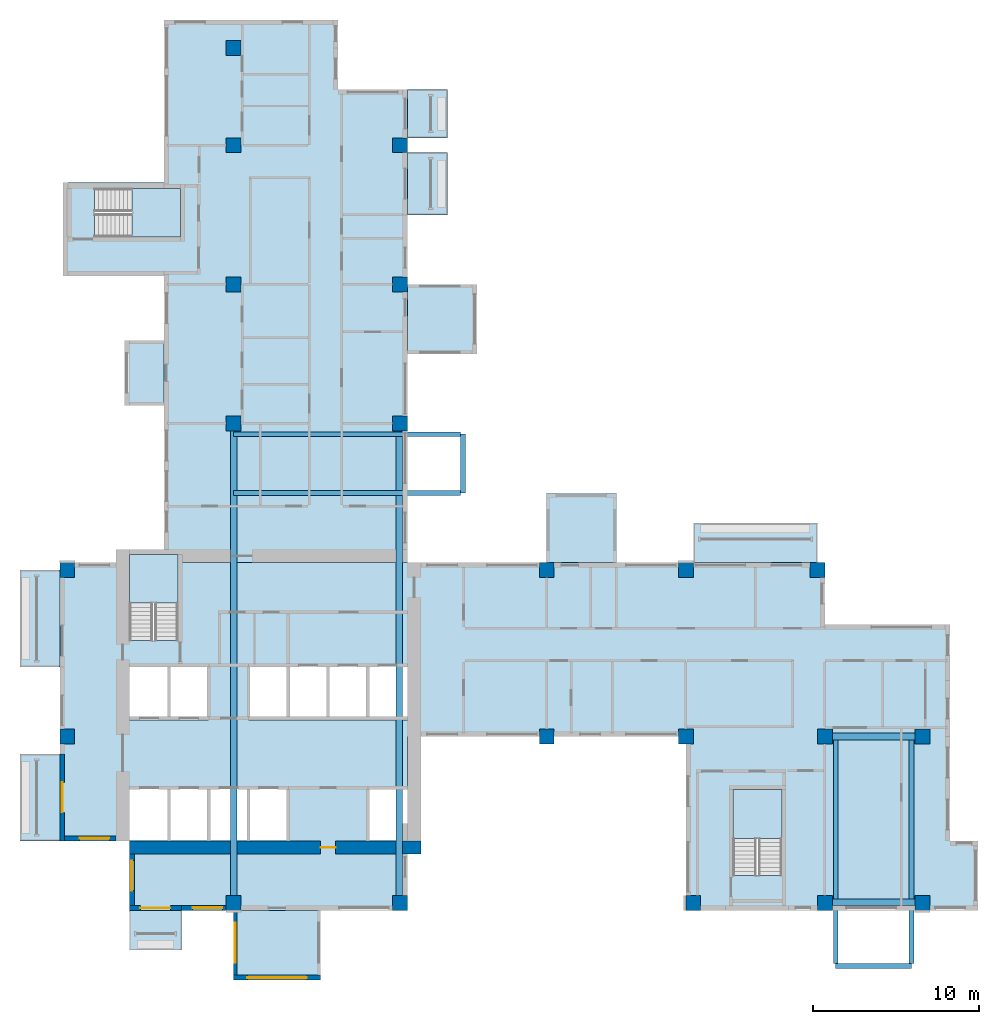
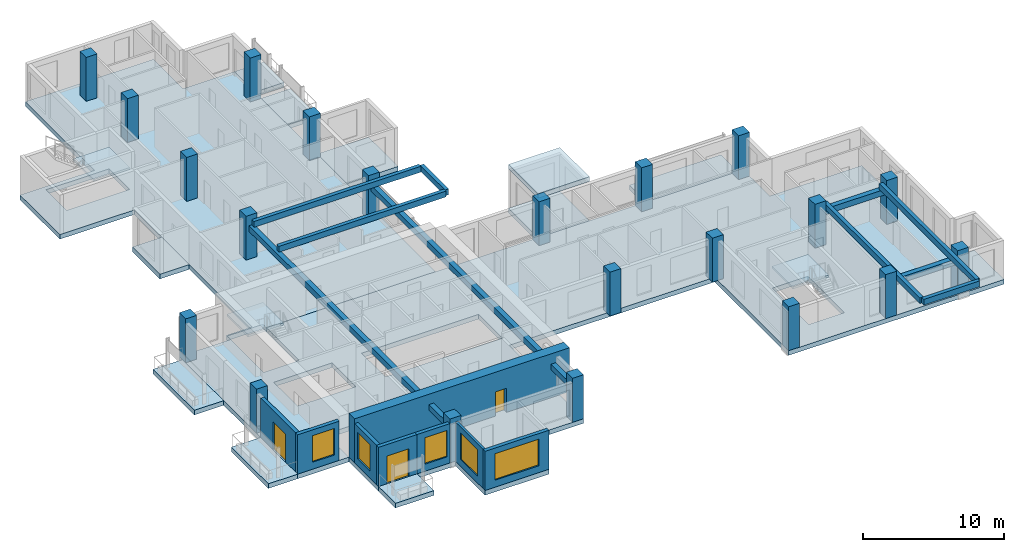
# One storey, part 1 of 11: 21 columns, 16 slabs, 10 beams, 8 walls, 5 windows, 3 doors, 8 openings, 3 elements without a shape of their own.
"""IFC4 building model written with IfcOpenShell, lengths in metres."""

from ifc_helpers import new_model, si_unit, direction, frame, frame_2d, origin, origin_2d, place, context, subcontext, project, spatial, polyline, rectangle, outline, extrude, source, transform, mapped, material, layer, layer_set, material_profile, profile_set, type_object, element, fill, aggregate, save


model = new_model("IFC4")

# Units and contexts
model_context = context("Model", 3, precision=1e-05, world=origin(), true_north=direction((0.0, 1.0)))
body_context = subcontext(model_context, "Body", "Model", "MODEL_VIEW")
ifc_project = project(units=[si_unit("LENGTHUNIT", "METRE"), si_unit("AREAUNIT", "SQUARE_METRE"), si_unit("VOLUMEUNIT", "CUBIC_METRE"), si_unit("PLANEANGLEUNIT", "RADIAN"), si_unit("MASSUNIT", "GRAM", prefix="KILO")], contexts=[model_context])

# Site, building, storey
site_placement = place(None, origin())
site = spatial("IfcSite", under=ifc_project, at=site_placement, CompositionType="ELEMENT")
building_placement = place(site_placement, origin())
building = spatial("IfcBuilding", under=site, at=building_placement, Name="Aurelian Terraces", CompositionType="ELEMENT")
storey_placement = place(building_placement, frame((0.0, 0.0, 208.2)))
storey = spatial("IfcBuildingStorey", under=building, at=storey_placement, Name="L46", CompositionType="ELEMENT", Elevation=208.2)

# Columns
ifc_material_1 = material(Name="Concrete fc' 70 MPa", Category="concrete")
ifc_material_profile_1 = material_profile(ifc_material_1, rectangle(XDim=0.9, YDim=0.9, at=origin_2d()))
ifc_profile_set_1 = profile_set([ifc_material_profile_1], Name="Concrete fc' 70 MPa")
column_type = type_object("IfcColumnType", Name="RC COLUMN 900X900 FC70", PredefinedType="COLUMN", material=ifc_profile_set_1)
shared_shape_1 = source(origin(), body_context, "Body", "SweptSolid", [
    extrude(rectangle(XDim=0.9, YDim=0.9, at=origin_2d()), origin(), (0.0, 0.0, 1.0), 3.8),
])
for number, where, z_axis, x_axis, name in (
    (1, (10.5, 0.45, 0.0), (0.0, 0.0, 1.0), (1.0, 0.0, 0.0), "Column 2/A L46"),
    (2, (20.55, 0.45, 0.0), (0.0, 0.0, 1.0), (1.0, 0.0, 0.0), "Column 3/A L46"),
    (3, (38.25, 0.45, 0.0), (0.0, 0.0, 1.0), (1.0, 0.0, 0.0), "Column 5/A L46"),
    (4, (46.2, 0.45, 0.0), (0.0, 0.0, 1.0), (1.0, 0.0, 0.0), "Column 6/A L46"),
    (5, (52.08, 0.45, 0.0), (0.0, 0.0, 1.0), (1.0, 0.0, 0.0), "Column 7/A L46"),
    (6, (0.45, 10.5, 0.0), (0.0, 0.0, 1.0), (1.0, 0.0, 0.0), "Column 1/B L46"),
    (7, (29.4, 10.5, 0.0), (0.0, 0.0, 1.0), (1.0, 0.0, 0.0), "Column 4/B L46"),
    (8, (37.8, 10.5, 0.0), (0.0, 0.0, 1.0), (1.0, 0.0, 0.0), "Column 5/B L46"),
    (9, (46.2, 10.5, 0.0), (0.0, 0.0, 1.0), (1.0, 0.0, 0.0), "Column 6/B L46"),
    (10, (52.08, 10.5, 0.0), (0.0, 0.0, 1.0), (1.0, 0.0, 0.0), "Column 7/B L46"),
    (11, (0.45, 20.55, 0.0), (0.0, 0.0, 1.0), (1.0, 0.0, 0.0), "Column 1/C L46"),
    (12, (29.4, 20.55, 0.0), (0.0, 0.0, 1.0), (1.0, 0.0, 0.0), "Column 4/C L46"),
    (13, (37.8, 20.55, 0.0), (0.0, 0.0, 1.0), (1.0, 0.0, 0.0), "Column 5/C L46"),
    (14, (45.75, 20.55, 0.0), (0.0, 0.0, 1.0), (1.0, 0.0, 0.0), "Column 6/C L46"),
    (15, (10.5, 29.4, 0.0), (0.0, 0.0, 1.0), (1.0, 0.0, 0.0), "Column 2/D L46"),
    (16, (20.55, 29.4, 0.0), (0.0, 0.0, 1.0), (1.0, 0.0, 0.0), "Column 3/D L46"),
    (17, (10.5, 37.8, 0.0), (0.0, 0.0, 1.0), (1.0, 0.0, 0.0), "Column 2/E L46"),
    (18, (20.55, 37.8, 0.0), (0.0, 0.0, 1.0), (1.0, 0.0, 0.0), "Column 3/E L46"),
    (19, (10.5, 46.2, 0.0), (0.0, 0.0, 1.0), (1.0, 0.0, 0.0), "Column 2/F L46"),
    (20, (20.55, 46.2, 0.0), (0.0, 0.0, 1.0), (1.0, 0.0, 0.0), "Column 3/F L46"),
    (21, (10.5, 52.08, 0.0), (0.0, 0.0, 1.0), (1.0, 0.0, 0.0), "Column 2/G L46"),
):
    element("IfcColumn", number, at=place(storey_placement, frame(where, z_axis=z_axis, x_axis=x_axis)), inside=storey, type_object=column_type, Name=name, PredefinedType="COLUMN", context=body_context, shape_type="MappedRepresentation", body=[
        mapped(shared_shape_1, transform((0.0, 0.0, 0.0), scale=1.0)),
    ])

# Beams
ifc_material_2 = material(Name="Concrete fc' 40 MPa", Category="concrete")
ifc_material_profile_2 = material_profile(ifc_material_2, rectangle(XDim=0.3, YDim=0.5, at=origin_2d()))
ifc_profile_set_2 = profile_set([ifc_material_profile_2], Name="Concrete fc' 40 MPa")
beam_type_1 = type_object("IfcBeamType", Name="CONCRETE CANTILEVER BEAM 300X500", PredefinedType="BEAM", material=ifc_profile_set_2)
shared_shape_2 = source(origin(), body_context, "Body", "SweptSolid", [
    extrude(rectangle(XDim=0.3, YDim=0.5, at=origin_2d()), origin(), (0.0, 0.0, 1.0), 13.7),
])
for number, where, z_axis, x_axis, name in (
    (22, (46.85, -3.2, 3.15), (0.0, 1.0, 0.0), (-1.0, 0.0, 0.0), "Box cantilever beam J67.1"),
    (23, (51.43, -3.2, 3.15), (0.0, 1.0, 0.0), (-1.0, 0.0, 0.0), "Box cantilever beam J67.2"),
    (24, (24.2, 25.2, 3.15), (-1.0, 0.0, 0.0), (0.0, -1.0, 0.0), "Box cantilever beam J68.1"),
    (25, (24.2, 28.75, 3.15), (-1.0, 0.0, 0.0), (0.0, -1.0, 0.0), "Box cantilever beam J68.2"),
):
    element("IfcBeam", number, at=place(storey_placement, frame(where, z_axis=z_axis, x_axis=x_axis)), inside=storey, type_object=beam_type_1, Name=name, PredefinedType="BEAM", context=body_context, shape_type="MappedRepresentation", body=[
        mapped(shared_shape_2, transform((0.0, 0.0, 0.0), scale=1.0)),
    ])
ifc_material_profile_3 = material_profile(ifc_material_2, rectangle(XDim=0.4, YDim=0.5, at=origin_2d()))
ifc_profile_set_3 = profile_set([ifc_material_profile_3], Name="Concrete fc' 40 MPa")
beam_type_2 = type_object("IfcBeamType", Name="CONCRETE EDGE GIRDER 400X500", PredefinedType="BEAM", material=ifc_profile_set_3)
shared_shape_3 = source(origin(), body_context, "Body", "SweptSolid", [
    extrude(rectangle(XDim=0.4, YDim=0.5, at=origin_2d()), origin(), (0.0, 0.0, 1.0), 4.98),
])
for number, where, z_axis, x_axis, name in (
    (26, (46.65, 0.5, 2.65), (1.0, 0.0, 0.0), (0.0, 1.0, 0.0), "Box girder L46 O134"),
    (27, (46.65, 10.5, 2.65), (1.0, 0.0, 0.0), (0.0, 1.0, 0.0), "Box girder L46 I135"),
):
    element("IfcBeam", number, at=place(storey_placement, frame(where, z_axis=z_axis, x_axis=x_axis)), inside=storey, type_object=beam_type_2, Name=name, PredefinedType="BEAM", context=body_context, shape_type="MappedRepresentation", body=[
        mapped(shared_shape_3, transform((0.0, 0.0, 0.0), scale=1.0)),
    ])
shared_shape_4 = source(origin(), body_context, "Body", "SweptSolid", [
    extrude(rectangle(XDim=0.3, YDim=0.5, at=origin_2d()), origin(), (0.0, 0.0, 1.0), 3.55),
])
beam_1_placement = place(storey_placement, frame((24.35, 25.2, 3.15), z_axis=(0.0, 1.0, 0.0), x_axis=(-1.0, 0.0, 0.0)))
element("IfcBeam", 28, at=beam_1_placement, inside=storey, type_object=beam_type_1, Name="Box tip beam J68", PredefinedType="BEAM", context=body_context, shape_type="MappedRepresentation", body=[
    mapped(shared_shape_4, transform((0.0, 0.0, 0.0), scale=1.0)),
])
shared_shape_5 = source(origin(), body_context, "Body", "SweptSolid", [
    extrude(rectangle(XDim=0.4, YDim=0.5, at=origin_2d()), origin(), (0.0, 0.0, 1.0), 28.05),
])
for number, where, z_axis, x_axis, name in (
    (29, (20.5, 0.9, 2.65), (0.0, 1.0, 0.0), (-1.0, 0.0, 0.0), "Box girder L46 O136"),
    (30, (10.5, 0.9, 2.65), (0.0, 1.0, 0.0), (-1.0, 0.0, 0.0), "Box girder L46 I137"),
):
    element("IfcBeam", number, at=place(storey_placement, frame(where, z_axis=z_axis, x_axis=x_axis)), inside=storey, type_object=beam_type_2, Name=name, PredefinedType="BEAM", context=body_context, shape_type="MappedRepresentation", body=[
        mapped(shared_shape_5, transform((0.0, 0.0, 0.0), scale=1.0)),
    ])
shared_shape_6 = source(origin(), body_context, "Body", "SweptSolid", [
    extrude(rectangle(XDim=0.3, YDim=0.5, at=origin_2d()), origin(), (0.0, 0.0, 1.0), 4.58),
])
beam_2_placement = place(storey_placement, frame((46.85, -3.35, 3.15), z_axis=(1.0, 0.0, 0.0), x_axis=(0.0, 1.0, 0.0)))
element("IfcBeam", 31, at=beam_2_placement, inside=storey, type_object=beam_type_1, Name="Box tip beam J67", PredefinedType="BEAM", context=body_context, shape_type="MappedRepresentation", body=[
    mapped(shared_shape_6, transform((0.0, 0.0, 0.0), scale=1.0)),
])

# Slabs
ifc_layer_1 = layer(ifc_material_2, 0.4)
ifc_layer_set_1 = layer_set([ifc_layer_1], Name="Balcony slab 400")
slab_type_1 = type_object("IfcSlabType", Name="Balcony slab 400", PredefinedType="NOTDEFINED", material=ifc_layer_set_1)
slab_1_placement = place(storey_placement, frame((0.0, 0.0, -0.4)))
element("IfcSlab", 32, at=slab_1_placement, inside=storey, type_object=slab_type_1, Name="Balcony slab L46 F11.19", PredefinedType="NOTDEFINED", context=body_context, shape_type="SweptSolid", body=[
    extrude(outline(polyline([(45.75, 21.0), (38.25, 21.0), (38.25, 23.4), (45.75, 23.4), (45.75, 21.0)])), origin(), (0.0, 0.0, 1.0), 0.4),
])
slab_2_placement = place(storey_placement, frame((0.0, 0.0, -0.4)))
element("IfcSlab", 33, at=slab_2_placement, inside=storey, type_object=slab_type_1, Name="Balcony slab L46 F24.39", PredefinedType="NOTDEFINED", context=body_context, shape_type="SweptSolid", body=[
    extrude(outline(polyline([(0.0, 20.55), (0.0, 14.7), (-2.4, 14.7), (-2.4, 20.55), (0.0, 20.55)])), origin(), (0.0, 0.0, 1.0), 0.4),
])
ifc_layer_2 = layer(ifc_material_2, 0.4)
ifc_layer_set_2 = layer_set([ifc_layer_2], Name="PT FLAT PLATE 400")
slab_type_2 = type_object("IfcSlabType", Name="PT FLAT PLATE 400", PredefinedType="FLOOR", material=ifc_layer_set_2)
shared_shape_7 = source(origin(), body_context, "Body", "SweptSolid", [
    extrude(outline(polyline([(6.3, 43.95), (6.3, 49.56), (6.3, 53.76), (10.5, 53.76), (16.8, 53.76), (16.8, 49.56), (21.0, 49.56), (21.0, 21.0), (7.14, 21.0), (7.14, 21.49), (4.21, 21.49), (4.21, 21.0), (4.2, 21.0), (4.2, 21.6), (6.3, 21.6), (6.3, 38.3), (0.2, 38.3), (0.2, 43.95), (6.3, 43.95)]), holes=[polyline([(7.29, 43.59), (2.11, 43.59), (2.11, 40.66), (7.29, 40.66), (7.29, 43.59)])]), origin(), (0.0, 0.0, 1.0), 0.4),
])
slab_3_placement = place(storey_placement, frame((0.0, 0.0, -0.4)))
element("IfcSlab", 34, at=slab_3_placement, inside=storey, type_object=slab_type_2, Name="Floor slab W L46", PredefinedType="FLOOR", context=body_context, shape_type="MappedRepresentation", body=[
    mapped(shared_shape_7, transform((0.0, 0.0, 0.0), scale=1.0)),
])
shared_shape_8 = source(origin(), body_context, "Body", "SweptSolid", [
    extrude(outline(polyline([(37.8, 10.5), (21.0, 10.5), (21.0, 0.0), (4.2, 0.0), (4.2, 4.2), (0.0, 4.2), (0.0, 21.0), (4.21, 21.0), (4.21, 16.31), (7.14, 16.31), (7.14, 21.0), (21.0, 21.0), (46.2, 21.0), (46.2, 17.25), (53.76, 17.25), (53.76, 4.2), (55.44, 4.2), (55.44, 0.0), (37.8, 0.0), (37.8, 10.5)]), holes=[polyline([(40.66, 2.11), (43.59, 2.11), (43.59, 7.29), (40.66, 7.29), (40.66, 2.11)]), polyline([(18.61, 7.49), (18.61, 4.21), (20.99, 4.21), (20.99, 7.49), (18.61, 7.49)]), polyline([(20.99, 14.89), (11.41, 14.89), (11.41, 11.51), (20.99, 11.51), (20.99, 14.89)]), polyline([(4.21, 7.49), (4.21, 4.21), (13.79, 4.21), (13.79, 7.49), (4.21, 7.49)]), polyline([(4.21, 14.89), (4.21, 11.51), (8.99, 11.51), (8.99, 14.89), (4.21, 14.89)])]), origin(), (0.0, 0.0, 1.0), 0.4),
])
slab_4_placement = place(storey_placement, frame((0.0, 0.0, -0.4)))
element("IfcSlab", 35, at=slab_4_placement, inside=storey, type_object=slab_type_2, Name="Floor slab S L46", PredefinedType="FLOOR", context=body_context, shape_type="MappedRepresentation", body=[
    mapped(shared_shape_8, transform((0.0, 0.0, 0.0), scale=1.0)),
])
ifc_layer_3 = layer(ifc_material_2, 0.41)
ifc_layer_set_3 = layer_set([ifc_layer_3], Name="Box floor 410")
slab_type_3 = type_object("IfcSlabType", Name="Box floor 410", PredefinedType="NOTDEFINED", material=ifc_layer_set_3)
shared_shape_9 = source(origin(), body_context, "Body", "SweptSolid", [
    extrude(outline(polyline([(25.2, 33.6), (25.2, 37.8), (21.0, 37.8), (21.0, 33.6), (25.2, 33.6)])), origin(), (0.0, 0.0, 1.0), 0.41),
])
slab_5_placement = place(storey_placement, frame((0.0, 0.0, -0.41)))
element("IfcSlab", 36, at=slab_5_placement, inside=storey, type_object=slab_type_3, Name="Box floor L46 J65", PredefinedType="NOTDEFINED", context=body_context, shape_type="MappedRepresentation", body=[
    mapped(shared_shape_9, transform((0.0, 0.0, 0.0), scale=1.0)),
])
shared_shape_10 = source(origin(), body_context, "Body", "SweptSolid", [
    extrude(outline(polyline([(3.9, 34.4), (3.9, 30.5), (6.3, 30.5), (6.3, 34.4), (3.9, 34.4)])), origin(), (0.0, 0.0, 1.0), 0.41),
])
slab_6_placement = place(storey_placement, frame((0.0, 0.0, -0.41)))
element("IfcSlab", 37, at=slab_6_placement, inside=storey, type_object=slab_type_3, Name="Box floor L46 J66", PredefinedType="NOTDEFINED", context=body_context, shape_type="MappedRepresentation", body=[
    mapped(shared_shape_10, transform((0.0, 0.0, 0.0), scale=1.0)),
])
shared_shape_11 = source(origin(), body_context, "Body", "SweptSolid", [
    extrude(outline(polyline([(0.0, 9.45), (0.0, 4.2), (-2.4, 4.2), (-2.4, 9.45), (0.0, 9.45)])), origin(), (0.0, 0.0, 1.0), 0.4),
])
slab_7_placement = place(storey_placement, frame((0.0, 0.0, -0.4)))
element("IfcSlab", 38, at=slab_7_placement, inside=storey, type_object=slab_type_1, Name="Balcony slab L46 F24.41", PredefinedType="NOTDEFINED", context=body_context, shape_type="MappedRepresentation", body=[
    mapped(shared_shape_11, transform((0.0, 0.0, 0.0), scale=1.0)),
])
shared_shape_12 = source(origin(), body_context, "Body", "SweptSolid", [
    extrude(outline(polyline([(33.6, 25.2), (29.4, 25.2), (29.4, 21.0), (33.6, 21.0), (33.6, 25.2)])), origin(), (0.0, 0.0, 1.0), 0.41),
])
slab_8_placement = place(storey_placement, frame((0.0, 0.0, -0.41)))
element("IfcSlab", 39, at=slab_8_placement, inside=storey, type_object=slab_type_3, Name="Box floor L46 J63", PredefinedType="NOTDEFINED", context=body_context, shape_type="MappedRepresentation", body=[
    mapped(shared_shape_12, transform((0.0, 0.0, 0.0), scale=1.0)),
])
shared_shape_13 = source(origin(), body_context, "Body", "SweptSolid", [
    extrude(outline(polyline([(10.5, -4.2), (15.75, -4.2), (15.75, 0.0), (10.5, 0.0), (10.5, -4.2)])), origin(), (0.0, 0.0, 1.0), 0.41),
])
slab_9_placement = place(storey_placement, frame((0.0, 0.0, -0.41)))
element("IfcSlab", 40, at=slab_9_placement, inside=storey, type_object=slab_type_3, Name="Box floor L46 J64", PredefinedType="NOTDEFINED", context=body_context, shape_type="MappedRepresentation", body=[
    mapped(shared_shape_13, transform((0.0, 0.0, 0.0), scale=1.0)),
])
shared_shape_14 = source(origin(), body_context, "Body", "SweptSolid", [
    extrude(outline(polyline([(4.2, 0.0), (7.35, 0.0), (7.35, -2.4), (4.2, -2.4), (4.2, 0.0)])), origin(), (0.0, 0.0, 1.0), 0.4),
])
slab_10_placement = place(storey_placement, frame((0.0, 0.0, -0.4)))
element("IfcSlab", 41, at=slab_10_placement, inside=storey, type_object=slab_type_1, Name="Balcony slab L46 F01.1", PredefinedType="NOTDEFINED", context=body_context, shape_type="MappedRepresentation", body=[
    mapped(shared_shape_14, transform((0.0, 0.0, 0.0), scale=1.0)),
])
shared_shape_15 = source(origin(), body_context, "Body", "SweptSolid", [
    extrude(outline(polyline([(21.0, 42.0), (21.0, 45.75), (23.4, 45.75), (23.4, 42.0), (21.0, 42.0)])), origin(), (0.0, 0.0, 1.0), 0.4),
])
slab_11_placement = place(storey_placement, frame((0.0, 0.0, -0.4)))
element("IfcSlab", 42, at=slab_11_placement, inside=storey, type_object=slab_type_1, Name="Balcony slab L46 F12.25", PredefinedType="NOTDEFINED", context=body_context, shape_type="MappedRepresentation", body=[
    mapped(shared_shape_15, transform((0.0, 0.0, 0.0), scale=1.0)),
])
shared_shape_16 = source(origin(), body_context, "Body", "SweptSolid", [
    extrude(outline(polyline([(21.0, 46.65), (21.0, 49.56), (23.4, 49.56), (23.4, 46.65), (21.0, 46.65)])), origin(), (0.0, 0.0, 1.0), 0.4),
])
slab_12_placement = place(storey_placement, frame((0.0, 0.0, -0.4)))
element("IfcSlab", 43, at=slab_12_placement, inside=storey, type_object=slab_type_1, Name="Balcony slab L46 F12.26", PredefinedType="NOTDEFINED", context=body_context, shape_type="MappedRepresentation", body=[
    mapped(shared_shape_16, transform((0.0, 0.0, 0.0), scale=1.0)),
])
ifc_layer_4 = layer(ifc_material_2, 0.4)
ifc_layer_set_4 = layer_set([ifc_layer_4], Name="Box roof 400")
slab_type_4 = type_object("IfcSlabType", Name="Box roof 400", PredefinedType="ROOF", material=ifc_layer_set_4)
shared_shape_17 = source(origin(), body_context, "Body", "SweptSolid", [
    extrude(outline(polyline([(33.6, 25.2), (29.4, 25.2), (29.4, 21.0), (33.6, 21.0), (33.6, 25.2)])), origin(), (0.0, 0.0, 1.0), 0.4),
])
slab_13_placement = place(storey_placement, frame((0.0, 0.0, 3.4)))
element("IfcSlab", 44, at=slab_13_placement, inside=storey, type_object=slab_type_4, Name="Box roof J63", PredefinedType="ROOF", context=body_context, shape_type="MappedRepresentation", body=[
    mapped(shared_shape_17, transform((0.0, 0.0, 0.0), scale=1.0)),
])

# Stair, slab
stair_type = type_object("IfcStairType", Name="Stair 1400", PredefinedType="HALF_TURN_STAIR", material=ifc_material_2)
stair_1_placement = place(storey_placement, origin())
stair_1 = element("IfcStair", 45, at=stair_1_placement, inside=storey, type_object=stair_type, Name="L46 S1", PredefinedType="HALF_TURN_STAIR")
ifc_layer_5 = layer(ifc_material_2, 0.2)
ifc_layer_set_5 = layer_set([ifc_layer_5], Name="Stair landing 200")
slab_type_5 = type_object("IfcSlabType", Name="Stair landing 200", PredefinedType="LANDING", material=ifc_layer_set_5)
shared_shape_18 = source(origin(), body_context, "Body", "SweptSolid", [
    extrude(outline(polyline([(7.15, 18.55), (7.15, 21.5), (4.2, 21.5), (4.2, 18.55), (7.15, 18.55)])), origin(), (0.0, 0.0, 1.0), 0.2),
])
slab_14_placement = place(storey_placement, frame((0.0, 0.0, 1.7)))
slab_14 = element("IfcSlab", 46, at=slab_14_placement, type_object=slab_type_5, Name="S1 landing 1", PredefinedType="LANDING", context=body_context, shape_type="MappedRepresentation", body=[
    mapped(shared_shape_18, transform((0.0, 0.0, 0.0), scale=1.0)),
])
aggregate(stair_1, [slab_14])

stair_2_placement = place(storey_placement, origin())
stair_2 = element("IfcStair", 47, at=stair_2_placement, inside=storey, type_object=stair_type, Name="L46 S2", PredefinedType="HALF_TURN_STAIR")
shared_shape_19 = source(origin(), body_context, "Body", "SweptSolid", [
    extrude(outline(polyline([(43.6, 4.35), (43.6, 7.3), (40.65, 7.3), (40.65, 4.35), (43.6, 4.35)])), origin(), (0.0, 0.0, 1.0), 0.2),
])
slab_15_placement = place(storey_placement, frame((0.0, 0.0, 1.7)))
slab_15 = element("IfcSlab", 48, at=slab_15_placement, type_object=slab_type_5, Name="S2 landing 1", PredefinedType="LANDING", context=body_context, shape_type="MappedRepresentation", body=[
    mapped(shared_shape_19, transform((0.0, 0.0, 0.0), scale=1.0)),
])
aggregate(stair_2, [slab_15])

stair_3_placement = place(storey_placement, origin())
stair_3 = element("IfcStair", 49, at=stair_3_placement, inside=storey, type_object=stair_type, Name="L46 S3", PredefinedType="HALF_TURN_STAIR")
shared_shape_20 = source(origin(), body_context, "Body", "SweptSolid", [
    extrude(outline(polyline([(4.35, 40.65), (7.3, 40.65), (7.3, 43.6), (4.35, 43.6), (4.35, 40.65)])), origin(), (0.0, 0.0, 1.0), 0.2),
])
slab_16_placement = place(storey_placement, frame((0.0, 0.0, 1.7)))
slab_16 = element("IfcSlab", 50, at=slab_16_placement, type_object=slab_type_5, Name="S3 landing 1", PredefinedType="LANDING", context=body_context, shape_type="MappedRepresentation", body=[
    mapped(shared_shape_20, transform((0.0, 0.0, 0.0), scale=1.0)),
])
aggregate(stair_3, [slab_16])

# Wall, opening, door
ifc_layer_6 = layer(ifc_material_1, 0.8)
ifc_layer_set_6 = layer_set([ifc_layer_6], Name="CORE WALL 800 FC70")
wall_type_1 = type_object("IfcWallType", Name="CORE WALL 800 FC70", PredefinedType="SHEAR", material=ifc_layer_set_6)
shared_shape_21 = source(origin(), body_context, "Body", "SweptSolid", [
    extrude(rectangle(XDim=17.6, YDim=0.8, at=frame_2d((8.8, 0.0))), origin(), (0.0, 0.0, 1.0), 3.8),
])
wall_1_placement = place(storey_placement, frame((4.2, 3.8, 0.0), z_axis=(0.0, 0.0, 1.0), x_axis=(1.0, 0.0, 0.0)))
wall_1 = element("IfcWall", 51, at=wall_1_placement, inside=storey, type_object=wall_type_1, Name="Core wall S L46", PredefinedType="SHEAR", context=body_context, shape_type="MappedRepresentation", body=[
    mapped(shared_shape_21, transform((0.0, 0.0, 0.0), scale=1.0)),
])
shared_shape_22 = source(origin(), body_context, "Body", "SweptSolid", [
    extrude(rectangle(XDim=0.9, YDim=2.1, at=frame_2d((0.45, 1.05))), frame((0.0, 0.41, 0.0), z_axis=(0.0, -1.0, 0.0), x_axis=(1.0, 0.0, 0.0)), (0.0, 0.0, 1.0), 0.82),
])
opening_1_placement = place(wall_1_placement, frame((11.55, 0.0, 0.0)))
opening_1 = element("IfcOpeningElement", 52, at=opening_1_placement, cuts=wall_1, Name="Opening 64924", PredefinedType="OPENING", context=body_context, shape_type="MappedRepresentation", body=[
    mapped(shared_shape_22, transform((0.0, 0.0, 0.0), scale=1.0)),
])
ifc_material_3 = material(Name="Steel door leaf", Category="steel")
door_type_1 = type_object("IfcDoorType", Name="Core service door 900x2100", OperationType="SINGLE_SWING_LEFT", PredefinedType="DOOR", material=ifc_material_3)
shared_shape_23 = source(origin(), body_context, "Body", "SweptSolid", [
    extrude(rectangle(XDim=0.9, YDim=2.1, at=frame_2d((0.45, 1.05))), frame((0.0, 0.025, 0.0), z_axis=(0.0, -1.0, 0.0), x_axis=(1.0, 0.0, 0.0)), (0.0, 0.0, 1.0), 0.05),
])
door_1_placement = place(opening_1_placement, origin())
door_1 = element("IfcDoor", 53, at=door_1_placement, inside=storey, type_object=door_type_1, Name="Core door 64924", OperationType="SINGLE_SWING_LEFT", OverallHeight=2.1, OverallWidth=0.9, PredefinedType="DOOR", context=body_context, shape_type="MappedRepresentation", body=[
    mapped(shared_shape_23, transform((0.0, 0.0, 0.0), scale=1.0)),
])
fill(opening_1, door_1)

# Wall, opening, window
ifc_material_4 = material(Name="Terracotta rainscreen cladding", Category="masonry")
ifc_layer_7 = layer(ifc_material_4, 0.3)
ifc_layer_set_7 = layer_set([ifc_layer_7], Name="EW-300")
wall_type_2 = type_object("IfcWallType", Name="EW-300", PredefinedType="STANDARD", material=ifc_layer_set_7)
shared_shape_24 = source(origin(), body_context, "Body", "SweptSolid", [
    extrude(rectangle(XDim=3.4, YDim=0.3, at=frame_2d((1.7, 0.0))), origin(), (0.0, 0.0, 1.0), 3.4),
])
wall_2_placement = place(storey_placement, frame((0.0, 4.35, 0.0), z_axis=(0.0, 0.0, 1.0), x_axis=(1.0, 0.0, 0.0)))
wall_2 = element("IfcWall", 54, at=wall_2_placement, inside=storey, type_object=wall_type_2, Name="External wall L46 F25.42", PredefinedType="STANDARD", context=body_context, shape_type="MappedRepresentation", body=[
    mapped(shared_shape_24, transform((0.0, 0.0, 0.0), scale=1.0)),
])
shared_shape_25 = source(origin(), body_context, "Body", "SweptSolid", [
    extrude(rectangle(XDim=1.8, YDim=2.3, at=frame_2d((0.9, 1.15))), frame((0.0, 0.16, 0.0), z_axis=(0.0, -1.0, 0.0), x_axis=(1.0, 0.0, 0.0)), (0.0, 0.0, 1.0), 0.32),
])
opening_2_placement = place(wall_2_placement, frame((1.2, 0.0, 0.6)))
opening_2 = element("IfcOpeningElement", 55, at=opening_2_placement, cuts=wall_2, Name="Opening W1823", PredefinedType="OPENING", context=body_context, shape_type="MappedRepresentation", body=[
    mapped(shared_shape_25, transform((0.0, 0.0, 0.0), scale=1.0)),
])
ifc_material_5 = material(Name="Clear glazing", Category="glass")
window_type_1 = type_object("IfcWindowType", Name="W-1800x2300", PartitioningType="SINGLE_PANEL", PredefinedType="WINDOW", material=ifc_material_5)
shared_shape_26 = source(origin(), body_context, "Body", "SweptSolid", [
    extrude(rectangle(XDim=1.8, YDim=2.3, at=frame_2d((0.9, 1.15))), frame((0.0, 0.03, 0.0), z_axis=(0.0, -1.0, 0.0), x_axis=(1.0, 0.0, 0.0)), (0.0, 0.0, 1.0), 0.06),
])
window_1_placement = place(opening_2_placement, origin())
window_1 = element("IfcWindow", 56, at=window_1_placement, inside=storey, type_object=window_type_1, Name="Window L46 L46-F25-42-0", OverallHeight=2.3, OverallWidth=1.8, PartitioningType="SINGLE_PANEL", PredefinedType="WINDOW", context=body_context, shape_type="MappedRepresentation", body=[
    mapped(shared_shape_26, transform((0.0, 0.0, 0.0), scale=1.0)),
])
fill(opening_2, window_1)

wall_3_placement = place(storey_placement, frame((4.35, 3.4, 0.0), z_axis=(0.0, 0.0, 1.0), x_axis=(0.0, -1.0, 0.0)))
wall_3 = element("IfcWall", 57, at=wall_3_placement, inside=storey, type_object=wall_type_2, Name="External wall L46 F26.43", PredefinedType="STANDARD", context=body_context, shape_type="MappedRepresentation", body=[
    mapped(shared_shape_24, transform((0.0, 0.0, 0.0), scale=1.0)),
])
opening_3_placement = place(wall_3_placement, frame((0.4, 0.0, 0.6)))
opening_3 = element("IfcOpeningElement", 58, at=opening_3_placement, cuts=wall_3, Name="Opening W1823", PredefinedType="OPENING", context=body_context, shape_type="MappedRepresentation", body=[
    mapped(shared_shape_25, transform((0.0, 0.0, 0.0), scale=1.0)),
])
window_2_placement = place(opening_3_placement, origin())
window_2 = element("IfcWindow", 59, at=window_2_placement, inside=storey, type_object=window_type_1, Name="Window L46 L46-F26-43-0", OverallHeight=2.3, OverallWidth=1.8, PartitioningType="SINGLE_PANEL", PredefinedType="WINDOW", context=body_context, shape_type="MappedRepresentation", body=[
    mapped(shared_shape_26, transform((0.0, 0.0, 0.0), scale=1.0)),
])
fill(opening_3, window_2)

ifc_layer_8 = layer(ifc_material_2, 0.2)
ifc_layer_set_8 = layer_set([ifc_layer_8], Name="BOX BEARING WALL 200")
wall_type_3 = type_object("IfcWallType", Name="BOX BEARING WALL 200", PredefinedType="SOLIDWALL", material=ifc_layer_set_8)
shared_shape_27 = source(origin(), body_context, "Body", "SweptSolid", [
    extrude(rectangle(XDim=3.9, YDim=0.2, at=frame_2d((1.95, 0.0))), origin(), (0.0, 0.0, 1.0), 3.39),
])
wall_4_placement = place(storey_placement, frame((10.6, 0.0, 0.0), z_axis=(0.0, 0.0, 1.0), x_axis=(0.0, -1.0, 0.0)))
wall_4 = element("IfcWall", 60, at=wall_4_placement, inside=storey, type_object=wall_type_3, Name="Box return L46 J64.1", PredefinedType="SOLIDWALL", context=body_context, shape_type="MappedRepresentation", body=[
    mapped(shared_shape_27, transform((0.0, 0.0, 0.0), scale=1.0)),
])
shared_shape_28 = source(origin(), body_context, "Body", "SweptSolid", [
    extrude(rectangle(XDim=2.4, YDim=2.3, at=frame_2d((1.2, 1.15))), frame((0.0, 0.11, 0.0), z_axis=(0.0, -1.0, 0.0), x_axis=(1.0, 0.0, 0.0)), (0.0, 0.0, 1.0), 0.22),
])
opening_4_placement = place(wall_4_placement, frame((0.75, 0.0, 0.6)))
opening_4 = element("IfcOpeningElement", 61, at=opening_4_placement, cuts=wall_4, Name="Opening W2423", PredefinedType="OPENING", context=body_context, shape_type="MappedRepresentation", body=[
    mapped(shared_shape_28, transform((0.0, 0.0, 0.0), scale=1.0)),
])
window_type_2 = type_object("IfcWindowType", Name="W-2400x2300", PartitioningType="SINGLE_PANEL", PredefinedType="WINDOW", material=ifc_material_5)
shared_shape_29 = source(origin(), body_context, "Body", "SweptSolid", [
    extrude(rectangle(XDim=2.4, YDim=2.3, at=frame_2d((1.2, 1.15))), frame((0.0, 0.03, 0.0), z_axis=(0.0, -1.0, 0.0), x_axis=(1.0, 0.0, 0.0)), (0.0, 0.0, 1.0), 0.06),
])
window_3_placement = place(opening_4_placement, origin())
window_3 = element("IfcWindow", 62, at=window_3_placement, inside=storey, type_object=window_type_2, Name="Window L46 J64-S1", OverallHeight=2.3, OverallWidth=2.4, PartitioningType="SINGLE_PANEL", PredefinedType="WINDOW", context=body_context, shape_type="MappedRepresentation", body=[
    mapped(shared_shape_29, transform((0.0, 0.0, 0.0), scale=1.0)),
])
fill(opening_4, window_3)

# Wall, opening, door
shared_shape_30 = source(origin(), body_context, "Body", "SweptSolid", [
    extrude(rectangle(XDim=3.15, YDim=0.3, at=frame_2d((1.575, 0.0))), origin(), (0.0, 0.0, 1.0), 3.4),
])
wall_5_placement = place(storey_placement, frame((4.2, 0.15, 0.0), z_axis=(0.0, 0.0, 1.0), x_axis=(1.0, 0.0, 0.0)))
wall_5 = element("IfcWall", 63, at=wall_5_placement, inside=storey, type_object=wall_type_2, Name="External wall L46 F01.1", PredefinedType="STANDARD", context=body_context, shape_type="MappedRepresentation", body=[
    mapped(shared_shape_30, transform((0.0, 0.0, 0.0), scale=1.0)),
])
shared_shape_31 = source(origin(), body_context, "Body", "SweptSolid", [
    extrude(rectangle(XDim=1.8, YDim=2.4, at=frame_2d((0.9, 1.2))), frame((0.0, 0.16, 0.0), z_axis=(0.0, -1.0, 0.0), x_axis=(1.0, 0.0, 0.0)), (0.0, 0.0, 1.0), 0.32),
])
opening_5_placement = place(wall_5_placement, frame((0.675, 0.0, 0.0)))
opening_5 = element("IfcOpeningElement", 64, at=opening_5_placement, cuts=wall_5, Name="Opening 84601", PredefinedType="OPENING", context=body_context, shape_type="MappedRepresentation", body=[
    mapped(shared_shape_31, transform((0.0, 0.0, 0.0), scale=1.0)),
])
door_type_2 = type_object("IfcDoorType", Name="BD-1800x2400", OperationType="SLIDING_TO_LEFT", PredefinedType="DOOR", material=ifc_material_5)
shared_shape_32 = source(origin(), body_context, "Body", "SweptSolid", [
    extrude(rectangle(XDim=1.8, YDim=2.4, at=frame_2d((0.9, 1.2))), frame((0.0, 0.025, 0.0), z_axis=(0.0, -1.0, 0.0), x_axis=(1.0, 0.0, 0.0)), (0.0, 0.0, 1.0), 0.05),
])
door_2_placement = place(opening_5_placement, origin())
door_2 = element("IfcDoor", 65, at=door_2_placement, inside=storey, type_object=door_type_2, Name="Balcony door L46 F01.1", OperationType="SLIDING_TO_LEFT", OverallHeight=2.4, OverallWidth=1.8, PredefinedType="DOOR", context=body_context, shape_type="MappedRepresentation", body=[
    mapped(shared_shape_32, transform((0.0, 0.0, 0.0), scale=1.0)),
])
fill(opening_5, door_2)

# Wall, opening, window
shared_shape_33 = source(origin(), body_context, "Body", "SweptSolid", [
    extrude(rectangle(XDim=2.7, YDim=0.3, at=frame_2d((1.35, 0.0))), origin(), (0.0, 0.0, 1.0), 3.4),
])
wall_6_placement = place(storey_placement, frame((7.35, 0.15, 0.0), z_axis=(0.0, 0.0, 1.0), x_axis=(1.0, 0.0, 0.0)))
wall_6 = element("IfcWall", 66, at=wall_6_placement, inside=storey, type_object=wall_type_2, Name="External wall L46 F01.2", PredefinedType="STANDARD", context=body_context, shape_type="MappedRepresentation", body=[
    mapped(shared_shape_33, transform((0.0, 0.0, 0.0), scale=1.0)),
])
opening_6_placement = place(wall_6_placement, frame((0.675, 0.0, 0.6)))
opening_6 = element("IfcOpeningElement", 67, at=opening_6_placement, cuts=wall_6, Name="Opening W1823", PredefinedType="OPENING", context=body_context, shape_type="MappedRepresentation", body=[
    mapped(shared_shape_25, transform((0.0, 0.0, 0.0), scale=1.0)),
])
window_4_placement = place(opening_6_placement, origin())
window_4 = element("IfcWindow", 68, at=window_4_placement, inside=storey, type_object=window_type_1, Name="Window L46 L46-F01-02-0", OverallHeight=2.3, OverallWidth=1.8, PartitioningType="SINGLE_PANEL", PredefinedType="WINDOW", context=body_context, shape_type="MappedRepresentation", body=[
    mapped(shared_shape_26, transform((0.0, 0.0, 0.0), scale=1.0)),
])
fill(opening_6, window_4)

ifc_layer_9 = layer(ifc_material_2, 0.3)
ifc_layer_set_9 = layer_set([ifc_layer_9], Name="BOX BEARING WALL 300")
wall_type_4 = type_object("IfcWallType", Name="BOX BEARING WALL 300", PredefinedType="SOLIDWALL", material=ifc_layer_set_9)
shared_shape_34 = source(origin(), body_context, "Body", "SweptSolid", [
    extrude(rectangle(XDim=5.25, YDim=0.3, at=frame_2d((2.625, 0.0))), origin(), (0.0, 0.0, 1.0), 3.39),
])
wall_7_placement = place(storey_placement, frame((10.5, -4.05, 0.0), z_axis=(0.0, 0.0, 1.0), x_axis=(1.0, 0.0, 0.0)))
wall_7 = element("IfcWall", 69, at=wall_7_placement, inside=storey, type_object=wall_type_4, Name="Box wall L46 J64", PredefinedType="SOLIDWALL", context=body_context, shape_type="MappedRepresentation", body=[
    mapped(shared_shape_34, transform((0.0, 0.0, 0.0), scale=1.0)),
])
shared_shape_35 = source(origin(), body_context, "Body", "SweptSolid", [
    extrude(rectangle(XDim=3.6, YDim=2.3, at=frame_2d((1.8, 1.15))), frame((0.0, 0.16, 0.0), z_axis=(0.0, -1.0, 0.0), x_axis=(1.0, 0.0, 0.0)), (0.0, 0.0, 1.0), 0.32),
])
opening_7_placement = place(wall_7_placement, frame((0.825, 0.0, 0.6)))
opening_7 = element("IfcOpeningElement", 70, at=opening_7_placement, cuts=wall_7, Name="Opening W3623", PredefinedType="OPENING", context=body_context, shape_type="MappedRepresentation", body=[
    mapped(shared_shape_35, transform((0.0, 0.0, 0.0), scale=1.0)),
])
window_type_3 = type_object("IfcWindowType", Name="W-3600x2300", PartitioningType="SINGLE_PANEL", PredefinedType="WINDOW", material=ifc_material_5)
shared_shape_36 = source(origin(), body_context, "Body", "SweptSolid", [
    extrude(rectangle(XDim=3.6, YDim=2.3, at=frame_2d((1.8, 1.15))), frame((0.0, 0.03, 0.0), z_axis=(0.0, -1.0, 0.0), x_axis=(1.0, 0.0, 0.0)), (0.0, 0.0, 1.0), 0.06),
])
window_5_placement = place(opening_7_placement, origin())
window_5 = element("IfcWindow", 71, at=window_5_placement, inside=storey, type_object=window_type_3, Name="Window L46 J64-F1", OverallHeight=2.3, OverallWidth=3.6, PartitioningType="SINGLE_PANEL", PredefinedType="WINDOW", context=body_context, shape_type="MappedRepresentation", body=[
    mapped(shared_shape_36, transform((0.0, 0.0, 0.0), scale=1.0)),
])
fill(opening_7, window_5)

# Wall, opening, door
shared_shape_37 = source(origin(), body_context, "Body", "SweptSolid", [
    extrude(rectangle(XDim=5.25, YDim=0.3, at=frame_2d((2.625, 0.0))), origin(), (0.0, 0.0, 1.0), 3.4),
])
wall_8_placement = place(storey_placement, frame((0.15, 9.45, 0.0), z_axis=(0.0, 0.0, 1.0), x_axis=(0.0, -1.0, 0.0)))
wall_8 = element("IfcWall", 72, at=wall_8_placement, inside=storey, type_object=wall_type_2, Name="External wall L46 F24.41", PredefinedType="STANDARD", context=body_context, shape_type="MappedRepresentation", body=[
    mapped(shared_shape_37, transform((0.0, 0.0, 0.0), scale=1.0)),
])
opening_8_placement = place(wall_8_placement, frame((1.725, 0.0, 0.0)))
opening_8 = element("IfcOpeningElement", 73, at=opening_8_placement, cuts=wall_8, Name="Opening 84606", PredefinedType="OPENING", context=body_context, shape_type="MappedRepresentation", body=[
    mapped(shared_shape_31, transform((0.0, 0.0, 0.0), scale=1.0)),
])
door_3_placement = place(opening_8_placement, origin())
door_3 = element("IfcDoor", 74, at=door_3_placement, inside=storey, type_object=door_type_2, Name="Balcony door L46 F24.41", OperationType="SLIDING_TO_LEFT", OverallHeight=2.4, OverallWidth=1.8, PredefinedType="DOOR", context=body_context, shape_type="MappedRepresentation", body=[
    mapped(shared_shape_32, transform((0.0, 0.0, 0.0), scale=1.0)),
])
fill(opening_8, door_3)

save(model, "model.ifc")
